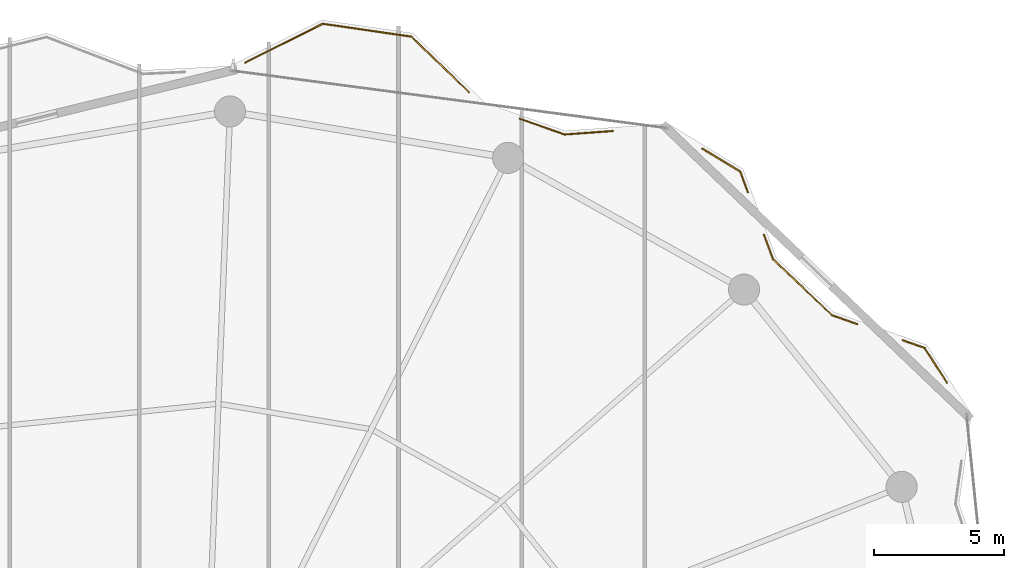
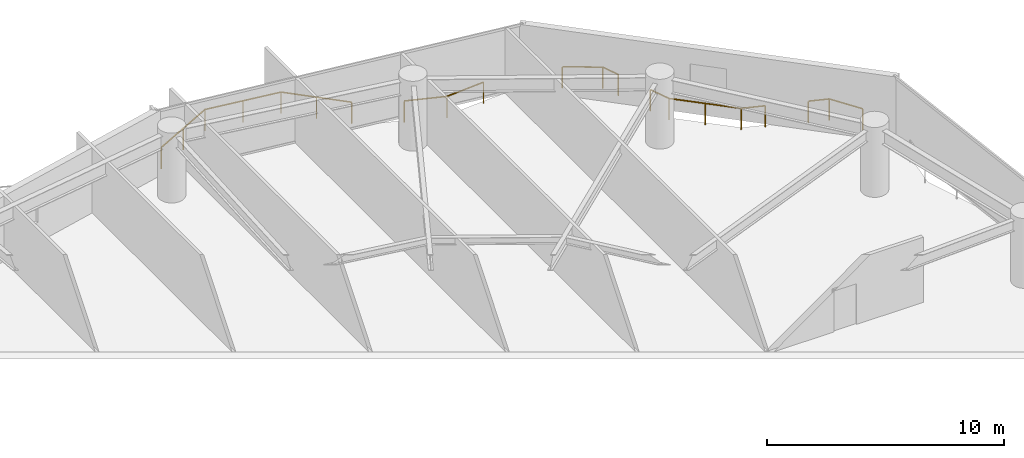
# One storey, part 30 of 30: 5 railings.
"""IFC4 building model written with IfcOpenShell, lengths in metres."""

from ifc_helpers import new_model, si_unit, direction, frame, origin, origin_2d, place, context, subcontext, project, spatial, rectangle, extrude, material, type_object, element, save


model = new_model("IFC4")

# Units and contexts
model_context = context("Model", 3, precision=1e-05, world=origin(), true_north=direction((0.0, 1.0)))
body_context = subcontext(model_context, "Body", "Model", "MODEL_VIEW")
ifc_project = project(units=[si_unit("LENGTHUNIT", "METRE"), si_unit("AREAUNIT", "SQUARE_METRE"), si_unit("VOLUMEUNIT", "CUBIC_METRE"), si_unit("PLANEANGLEUNIT", "RADIAN"), si_unit("MASSUNIT", "GRAM", prefix="KILO")], contexts=[model_context])

# Site, building, storey
site_placement = place(None, origin())
site = spatial("IfcSite", under=ifc_project, at=site_placement, CompositionType="ELEMENT")
building_placement = place(site_placement, origin())
building = spatial("IfcBuilding", under=site, at=building_placement, Name="Kazevale Care Tower and Concert Hall", CompositionType="ELEMENT")
storey_placement = place(building_placement, frame((0.0, 0.0, 131.39990234375)))
storey = spatial("IfcBuildingStorey", under=building, at=storey_placement, Name="L34", CompositionType="ELEMENT", Elevation=131.39990234375)

# Railings
ifc_material = material(Name="Anodised Bronze Aluminium and Laminated Glass", Category="aluminium")
railing_type = type_object("IfcRailingType", Name="Balcony and Terrace Balustrade 1120", PredefinedType="BALUSTRADE", material=ifc_material)
railing_1_placement = place(storey_placement, frame((45.58203125, 63.3349609375, 0.0)))
element("IfcRailing", 1, at=railing_1_placement, inside=storey, type_object=railing_type, Name="rail:L34:perim:6", PredefinedType="BALUSTRADE", context=body_context, shape_type="SweptSolid", body=[
    extrude(rectangle(XDim=0.048095703125, YDim=0.048095703125, at=origin_2d()), frame((0.0, 0.0, 1.09619140625), z_axis=(0.894295970648, 0.447475940003, 0.0), x_axis=(-0.447475940003, 0.894295970648, 0.0)), (0.0, 0.0, 1.0), 3.349853515625),
    extrude(rectangle(XDim=0.048095703125, YDim=0.048095703125, at=origin_2d()), frame((2.995849609375, 1.4990234375, 1.09619140625), z_axis=(0.989614943685, -0.143743741553, 0.0), x_axis=(0.143743741553, 0.989614943685, 0.0)), (0.0, 0.0, 1.0), 3.4580078125),
    extrude(rectangle(XDim=0.048095703125, YDim=0.048095703125, at=origin_2d()), frame((6.41796875, 1.001953125, 1.09619140625), z_axis=(0.719198097767, -0.694805077823, 0.0), x_axis=(0.694805077823, 0.719198097767, 0.0)), (0.0, 0.0, 1.0), 3.082763671875),
    extrude(rectangle(XDim=0.0419921875, YDim=0.0419921875, at=origin_2d()), origin(), (0.0, 0.0, 1.0), 1.072021484375),
    extrude(rectangle(XDim=0.0419921875, YDim=0.0419921875, at=origin_2d()), frame((1.498046875, 0.74951171875, 0.0)), (0.0, 0.0, 1.0), 1.072021484375),
    extrude(rectangle(XDim=0.0419921875, YDim=0.0419921875, at=origin_2d()), frame((2.995849609375, 1.4990234375, 0.0)), (0.0, 0.0, 1.0), 1.072021484375),
    extrude(rectangle(XDim=0.0419921875, YDim=0.0419921875, at=origin_2d()), frame((4.70703125, 1.25048828125, 0.0)), (0.0, 0.0, 1.0), 1.072021484375),
    extrude(rectangle(XDim=0.0419921875, YDim=0.0419921875, at=origin_2d()), frame((6.41796875, 1.001953125, 0.0)), (0.0, 0.0, 1.0), 1.072021484375),
    extrude(rectangle(XDim=0.0419921875, YDim=0.0419921875, at=origin_2d()), frame((7.5263671875, -0.06884765625, 0.0)), (0.0, 0.0, 1.0), 1.072021484375),
    extrude(rectangle(XDim=0.0419921875, YDim=0.0419921875, at=origin_2d()), frame((8.635009765625, -1.139892578125, 0.0)), (0.0, 0.0, 1.0), 1.072021484375),
])
railing_2_placement = place(storey_placement, frame((56.177001953125, 61.169921875, 0.0)))
element("IfcRailing", 2, at=railing_2_placement, inside=storey, type_object=railing_type, Name="rail:L34:perim:7", PredefinedType="BALUSTRADE", context=body_context, shape_type="SweptSolid", body=[
    extrude(rectangle(XDim=0.048095703125, YDim=0.048095703125, at=origin_2d()), frame((0.0, 0.0, 1.09619140625), z_axis=(0.943845924202, -0.330385943054, 0.0), x_axis=(0.330385943054, 0.943845924202, 0.0)), (0.0, 0.0, 1.0), 1.837158203125),
    extrude(rectangle(XDim=0.048095703125, YDim=0.048095703125, at=origin_2d()), frame((1.73388671875, -0.60693359375, 1.09619140625), z_axis=(0.997446044484, 0.071424003974, 0.0), x_axis=(-0.071424003974, 0.997446044484, 0.0)), (0.0, 0.0, 1.0), 1.86279296875),
    extrude(rectangle(XDim=0.0419921875, YDim=0.0419921875, at=origin_2d()), origin(), (0.0, 0.0, 1.0), 1.072021484375),
    extrude(rectangle(XDim=0.0419921875, YDim=0.0419921875, at=origin_2d()), frame((1.73388671875, -0.60693359375, 0.0)), (0.0, 0.0, 1.0), 1.072021484375),
    extrude(rectangle(XDim=0.0419921875, YDim=0.0419921875, at=origin_2d()), frame((3.592041015625, -0.473876953125, 0.0)), (0.0, 0.0, 1.0), 1.072021484375),
])
railing_3_placement = place(storey_placement, frame((63.218017578125, 60.02001953125, 0.0)))
element("IfcRailing", 3, at=railing_3_placement, inside=storey, type_object=railing_type, Name="rail:L34:perim:8", PredefinedType="BALUSTRADE", context=body_context, shape_type="SweptSolid", body=[
    extrude(rectangle(XDim=0.048095703125, YDim=0.048095703125, at=origin_2d()), frame((0.0, 0.0, 1.09619140625), z_axis=(0.855004324382, -0.518620868542, 0.0), x_axis=(0.518620868542, 0.855004324382, 0.0)), (0.0, 0.0, 1.0), 1.712158203125),
    extrude(rectangle(XDim=0.048095703125, YDim=0.048095703125, at=origin_2d()), frame((1.4638671875, -0.887939453125, 1.09619140625), z_axis=(0.350274461478, -0.936647106245, 0.0), x_axis=(0.936647106245, 0.350274461478, 0.0)), (0.0, 0.0, 1.0), 0.85107421875),
    extrude(rectangle(XDim=0.0419921875, YDim=0.0419921875, at=origin_2d()), origin(), (0.0, 0.0, 1.0), 1.072021484375),
    extrude(rectangle(XDim=0.0419921875, YDim=0.0419921875, at=origin_2d()), frame((1.4638671875, -0.887939453125, 0.0)), (0.0, 0.0, 1.0), 1.072021484375),
    extrude(rectangle(XDim=0.0419921875, YDim=0.0419921875, at=origin_2d()), frame((1.761962890625, -1.68505859375, 0.0)), (0.0, 0.0, 1.0), 1.072021484375),
])
railing_4_placement = place(storey_placement, frame((65.593994140625, 56.696044921875, 0.0)))
element("IfcRailing", 4, at=railing_4_placement, inside=storey, type_object=railing_type, Name="rail:L34:perim:9", PredefinedType="BALUSTRADE", context=body_context, shape_type="SweptSolid", body=[
    extrude(rectangle(XDim=0.048095703125, YDim=0.048095703125, at=origin_2d()), frame((0.0, 0.0, 1.09619140625), z_axis=(0.35059921424, -0.936525595472, 0.0), x_axis=(0.936525595472, 0.35059921424, 0.0)), (0.0, 0.0, 1.0), 1.020751953125),
    extrude(rectangle(XDim=0.048095703125, YDim=0.048095703125, at=origin_2d()), frame((0.35791015625, -0.9560546875, 1.09619140625), z_axis=(0.726387325624, -0.687285568867, 0.0), x_axis=(0.687285568867, 0.726387325624, 0.0)), (0.0, 0.0, 1.0), 3.128173828125),
    extrude(rectangle(XDim=0.048095703125, YDim=0.048095703125, at=origin_2d()), frame((2.630126953125, -3.10595703125, 1.09619140625), z_axis=(0.942764361148, -0.333459681743, 0.0), x_axis=(0.333459681743, 0.942764361148, 0.0)), (0.0, 0.0, 1.0), 1.0380859375),
    extrude(rectangle(XDim=0.0419921875, YDim=0.0419921875, at=origin_2d()), origin(), (0.0, 0.0, 1.0), 1.072021484375),
    extrude(rectangle(XDim=0.0419921875, YDim=0.0419921875, at=origin_2d()), frame((0.35791015625, -0.9560546875, 0.0)), (0.0, 0.0, 1.0), 1.072021484375),
    extrude(rectangle(XDim=0.0419921875, YDim=0.0419921875, at=origin_2d()), frame((1.494140625, -2.031005859375, 0.0)), (0.0, 0.0, 1.0), 1.072021484375),
    extrude(rectangle(XDim=0.0419921875, YDim=0.0419921875, at=origin_2d()), frame((2.630126953125, -3.10595703125, 0.0)), (0.0, 0.0, 1.0), 1.072021484375),
    extrude(rectangle(XDim=0.0419921875, YDim=0.0419921875, at=origin_2d()), frame((3.60888671875, -3.4521484375, 0.0)), (0.0, 0.0, 1.0), 1.072021484375),
])
railing_5_placement = place(storey_placement, frame((70.947021484375, 52.626953125, 0.0)))
element("IfcRailing", 5, at=railing_5_placement, inside=storey, type_object=railing_type, Name="rail:L34:perim:11", PredefinedType="BALUSTRADE", context=body_context, shape_type="SweptSolid", body=[
    extrude(rectangle(XDim=0.048095703125, YDim=0.048095703125, at=origin_2d()), frame((0.0, 0.0, 1.09619140625), z_axis=(0.94312106056, -0.332449492598, 0.0), x_axis=(0.332449492598, 0.94312106056, 0.0)), (0.0, 0.0, 1.0), 0.89599609375),
    extrude(rectangle(XDim=0.048095703125, YDim=0.048095703125, at=origin_2d()), frame((0.844970703125, -0.2978515625, 1.09619140625), z_axis=(0.542760428635, -0.839887562182, 0.0), x_axis=(0.839887562182, 0.542760428635, 0.0)), (0.0, 0.0, 1.0), 1.58837890625),
    extrude(rectangle(XDim=0.0419921875, YDim=0.0419921875, at=origin_2d()), origin(), (0.0, 0.0, 1.0), 1.072021484375),
    extrude(rectangle(XDim=0.0419921875, YDim=0.0419921875, at=origin_2d()), frame((0.844970703125, -0.2978515625, 0.0)), (0.0, 0.0, 1.0), 1.072021484375),
    extrude(rectangle(XDim=0.0419921875, YDim=0.0419921875, at=origin_2d()), frame((1.70703125, -1.6318359375, 0.0)), (0.0, 0.0, 1.0), 1.072021484375),
])

save(model, "model.ifc")
